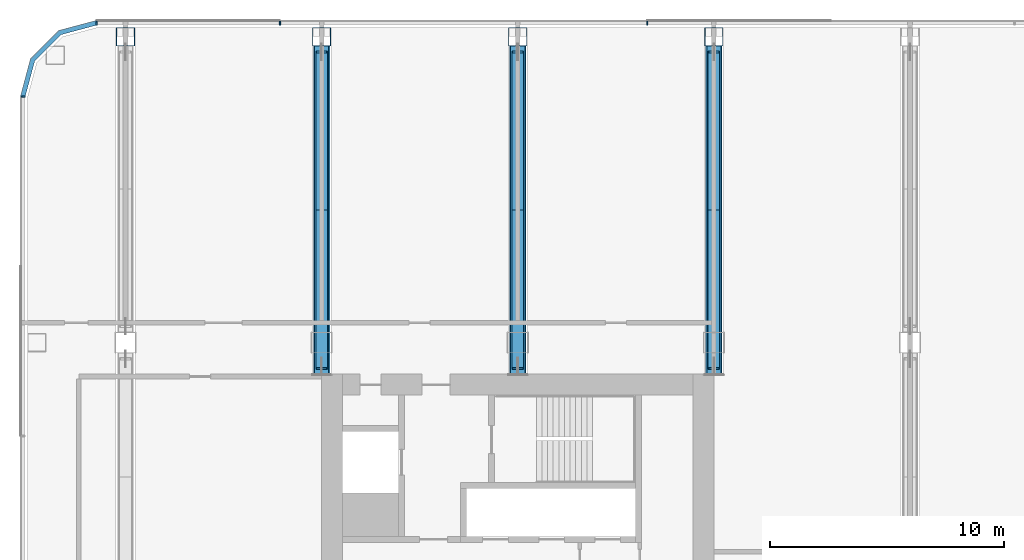
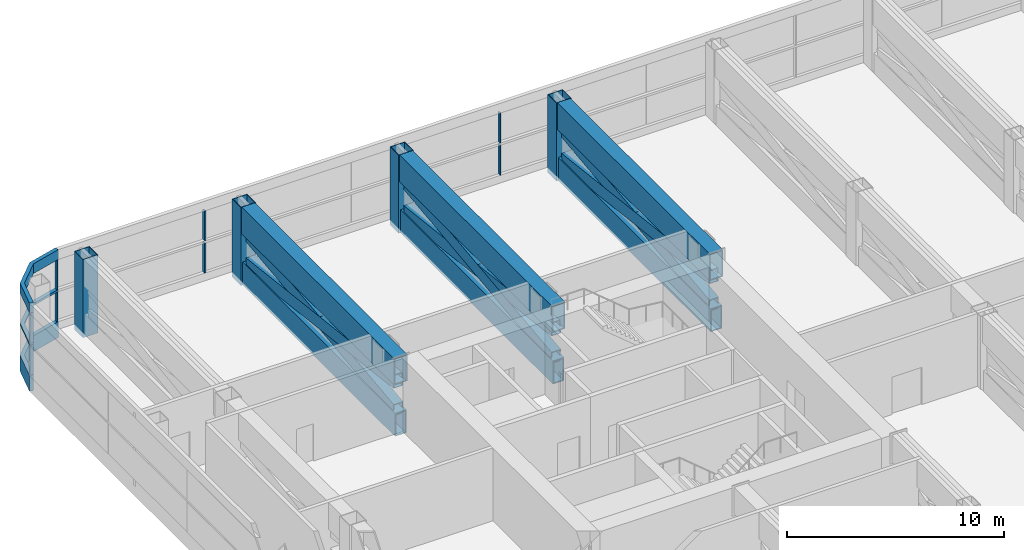
# One storey, part 9 of 31: 27 members, 3 elements without a shape of their own.
"""IFC4 building model written with IfcOpenShell, lengths in metres."""

from ifc_helpers import new_model, si_unit, direction, frame, origin, origin_2d, place, context, subcontext, project, spatial, polyline, rectangle, hollow_rectangle, outline, extrude, material, layer, layer_set, material_profile, profile_set, type_object, element, aggregate, save


model = new_model("IFC4")

# Units and contexts
model_context = context("Model", 3, precision=1e-05, world=origin(), true_north=direction((0.0, 1.0)))
body_context = subcontext(model_context, "Body", "Model", "MODEL_VIEW")
ifc_project = project(units=[si_unit("LENGTHUNIT", "METRE"), si_unit("AREAUNIT", "SQUARE_METRE"), si_unit("VOLUMEUNIT", "CUBIC_METRE"), si_unit("PLANEANGLEUNIT", "RADIAN"), si_unit("MASSUNIT", "GRAM", prefix="KILO")], contexts=[model_context])

# Site, building, storey
site_placement = place(None, origin())
site = spatial("IfcSite", under=ifc_project, at=site_placement, CompositionType="ELEMENT")
building_placement = place(site_placement, origin())
building = spatial("IfcBuilding", under=site, at=building_placement, Name="Hakoniwa Tower and Hamabe Station Hall", CompositionType="ELEMENT")
storey_placement = place(building_placement, frame((0.0, 0.0, 120.199951171875)))
storey = spatial("IfcBuildingStorey", under=building, at=storey_placement, Name="L34", CompositionType="ELEMENT", Elevation=120.199951171875)

# Curtain wall, members
ifc_material_1 = material(Name="Dark low-e laminated glass", Category="glass")
ifc_layer = layer(ifc_material_1, 0.199951171875)
ifc_layer_set = layer_set([ifc_layer], Name="CW-6 PLANT LOUVRE")
curtain_wall_type = type_object("IfcCurtainWallType", Name="CW-6 PLANT LOUVRE", PredefinedType="NOTDEFINED", material=ifc_layer_set)
curtain_wall_1_placement = place(storey_placement, origin())
curtain_wall_1 = element("IfcCurtainWall", 1, at=curtain_wall_1_placement, inside=storey, type_object=curtain_wall_type, Name="CW-6 curtain wall", PredefinedType="NOTDEFINED")
ifc_material_2 = material(Name="Aluminium 6063-T5 black anodised", Category="aluminium")
ifc_material_profile_1 = material_profile(ifc_material_2, rectangle(XDim=0.199951171875, YDim=0.550048828125, at=origin_2d()), Name="CW HEAD BAND 550X200")
ifc_profile_set_1 = profile_set([ifc_material_profile_1], Name="Aluminium 6063-T5 black anodised")
member_type_1 = type_object("IfcMemberType", Name="CW HEAD BAND 550X200", PredefinedType="USERDEFINED", material=ifc_profile_set_1)
member_1_placement = place(storey_placement, frame((0.0, 0.0, 3.85009765625)))
member_1 = element("IfcMember", 2, at=member_1_placement, type_object=member_type_1, Name="CW-6 transom", ObjectType="TRANSOM", PredefinedType="USERDEFINED", context=body_context, shape_type="SweptSolid", body=[
    extrude(outline(polyline([(-43.239501953125, 23.550048828125), (-44.855224609375, 23.116943359375), (-46.067138671875, 21.9052734375), (-46.5, 20.28955078125), (-46.306884765625, 20.23779296875), (-45.8876953125, 21.8017578125), (-44.751708984375, 22.937744140625), (-43.187744140625, 23.35693359375), (-43.239501953125, 23.550048828125)])), origin(), (0.0, 0.0, 1.0), 0.550048828125),
])
ifc_material_3 = material(Name="Aluminium 6063-T5 black anodised", Category="aluminium")
ifc_material_profile_2 = material_profile(ifc_material_3, rectangle(XDim=0.199951171875, YDim=0.1201171875, at=origin_2d()), Name="CW MID TRANSOM 120X200")
ifc_profile_set_2 = profile_set([ifc_material_profile_2], Name="Aluminium 6063-T5 black anodised")
member_type_2 = type_object("IfcMemberType", Name="CW MID TRANSOM 120X200", PredefinedType="USERDEFINED", material=ifc_profile_set_2)
member_2_placement = place(storey_placement, frame((0.0, 0.0, 2.0400390625)))
member_2 = element("IfcMember", 3, at=member_2_placement, type_object=member_type_2, Name="CW-6 transom", ObjectType="TRANSOM", PredefinedType="USERDEFINED", context=body_context, shape_type="SweptSolid", body=[
    extrude(outline(polyline([(-43.239501953125, 23.550048828125), (-44.855224609375, 23.116943359375), (-46.067138671875, 21.9052734375), (-46.5, 20.28955078125), (-46.306884765625, 20.23779296875), (-45.8876953125, 21.8017578125), (-44.751708984375, 22.937744140625), (-43.187744140625, 23.35693359375), (-43.239501953125, 23.550048828125)])), origin(), (0.0, 0.0, 1.0), 0.1201171875),
])
ifc_material_4 = material(Name="Aluminium 6063-T5 black anodised", Category="aluminium")
ifc_material_profile_3 = material_profile(ifc_material_4, rectangle(XDim=0.199951171875, YDim=0.89990234375, at=origin_2d()), Name="CW SLAB-EDGE BAND 900X200")
ifc_profile_set_3 = profile_set([ifc_material_profile_3], Name="Aluminium 6063-T5 black anodised")
member_type_3 = type_object("IfcMemberType", Name="CW SLAB-EDGE BAND 900X200", PredefinedType="USERDEFINED", material=ifc_profile_set_3)
member_3_placement = place(storey_placement, frame((0.0, 0.0, -0.550048828125)))
member_3 = element("IfcMember", 4, at=member_3_placement, type_object=member_type_3, Name="CW-6 transom", ObjectType="TRANSOM", PredefinedType="USERDEFINED", context=body_context, shape_type="SweptSolid", body=[
    extrude(outline(polyline([(-43.239501953125, 23.550048828125), (-44.855224609375, 23.116943359375), (-46.067138671875, 21.9052734375), (-46.5, 20.28955078125), (-46.306884765625, 20.23779296875), (-45.8876953125, 21.8017578125), (-44.751708984375, 22.937744140625), (-43.187744140625, 23.35693359375), (-43.239501953125, 23.550048828125)])), origin(), (0.0, 0.0, 1.0), 0.900146484375),
])
aggregate(curtain_wall_1, [member_3, member_2, member_1])

curtain_wall_2_placement = place(storey_placement, origin())
curtain_wall_2 = element("IfcCurtainWall", 5, at=curtain_wall_2_placement, inside=storey, type_object=curtain_wall_type, Name="CW-6 curtain wall", PredefinedType="NOTDEFINED")
ifc_material_5 = material(Name="Aluminium 6063-T5 black anodised", Category="aluminium")
ifc_material_profile_4 = material_profile(ifc_material_5, rectangle(XDim=0.06005859375, YDim=0.179931640625, at=origin_2d()), Name="CW-1 MULLION 60X180")
ifc_profile_set_4 = profile_set([ifc_material_profile_4], Name="Aluminium 6063-T5 black anodised")
member_type_4 = type_object("IfcMemberType", Name="CW-1 MULLION 60X180", PredefinedType="MULLION", material=ifc_profile_set_4)
member_4_placement = place(storey_placement, frame((-19.654296875, 23.431884765625, 0.35009765625), z_axis=(0.0, 0.0, 1.0), x_axis=(-1.0, 0.0, 0.0)))
member_4 = element("IfcMember", 6, at=member_4_placement, type_object=member_type_4, Name="CW-6 mullion", PredefinedType="MULLION", context=body_context, shape_type="SweptSolid", body=[
    extrude(rectangle(XDim=0.06005859375, YDim=0.179931640625, at=origin_2d()), origin(), (0.0, 0.0, 1.0), 1.68994140625),
])
member_5_placement = place(storey_placement, frame((-19.654296875, 23.431884765625, 2.16015625), z_axis=(0.0, 0.0, 1.0), x_axis=(-1.0, 0.0, 0.0)))
member_5 = element("IfcMember", 7, at=member_5_placement, type_object=member_type_4, Name="CW-6 mullion", PredefinedType="MULLION", context=body_context, shape_type="SweptSolid", body=[
    extrude(rectangle(XDim=0.06005859375, YDim=0.179931640625, at=origin_2d()), origin(), (0.0, 0.0, 1.0), 1.68994140625),
])
member_6_placement = place(storey_placement, frame((-35.377685546875, 23.431884765625, 0.35009765625), z_axis=(0.0, 0.0, 1.0), x_axis=(-1.0, 0.0, 0.0)))
member_6 = element("IfcMember", 8, at=member_6_placement, type_object=member_type_4, Name="CW-6 mullion", PredefinedType="MULLION", context=body_context, shape_type="SweptSolid", body=[
    extrude(rectangle(XDim=0.06005859375, YDim=0.179931640625, at=origin_2d()), origin(), (0.0, 0.0, 1.0), 1.68994140625),
])
member_7_placement = place(storey_placement, frame((-35.377685546875, 23.431884765625, 2.16015625), z_axis=(0.0, 0.0, 1.0), x_axis=(-1.0, 0.0, 0.0)))
member_7 = element("IfcMember", 9, at=member_7_placement, type_object=member_type_4, Name="CW-6 mullion", PredefinedType="MULLION", context=body_context, shape_type="SweptSolid", body=[
    extrude(rectangle(XDim=0.06005859375, YDim=0.179931640625, at=origin_2d()), origin(), (0.0, 0.0, 1.0), 1.68994140625),
])
member_8_placement = place(storey_placement, frame((-43.239501953125, 23.431884765625, 0.35009765625), z_axis=(0.0, 0.0, 1.0), x_axis=(-1.0, 0.0, 0.0)))
member_8 = element("IfcMember", 10, at=member_8_placement, type_object=member_type_4, Name="CW-6 mullion", PredefinedType="MULLION", context=body_context, shape_type="SweptSolid", body=[
    extrude(rectangle(XDim=0.06005859375, YDim=0.179931640625, at=origin_2d()), origin(), (0.0, 0.0, 1.0), 1.68994140625),
])
member_9_placement = place(storey_placement, frame((-43.239501953125, 23.431884765625, 2.16015625), z_axis=(0.0, 0.0, 1.0), x_axis=(-1.0, 0.0, 0.0)))
member_9 = element("IfcMember", 11, at=member_9_placement, type_object=member_type_4, Name="CW-6 mullion", PredefinedType="MULLION", context=body_context, shape_type="SweptSolid", body=[
    extrude(rectangle(XDim=0.06005859375, YDim=0.179931640625, at=origin_2d()), origin(), (0.0, 0.0, 1.0), 1.68994140625),
])
aggregate(curtain_wall_2, [member_4, member_5, member_6, member_7, member_8, member_9])

curtain_wall_3_placement = place(storey_placement, origin())
curtain_wall_3 = element("IfcCurtainWall", 12, at=curtain_wall_3_placement, inside=storey, type_object=curtain_wall_type, Name="CW-6 curtain wall", PredefinedType="NOTDEFINED")
member_10_placement = place(storey_placement, frame((-46.382080078125, 20.28955078125, 0.35009765625), z_axis=(0.0, 0.0, 1.0), x_axis=(0.0, -1.0, 0.0)))
member_10 = element("IfcMember", 13, at=member_10_placement, type_object=member_type_4, Name="CW-6 mullion", PredefinedType="MULLION", context=body_context, shape_type="SweptSolid", body=[
    extrude(rectangle(XDim=0.06005859375, YDim=0.179931640625, at=origin_2d()), origin(), (0.0, 0.0, 1.0), 1.68994140625),
])
member_11_placement = place(storey_placement, frame((-46.382080078125, 20.28955078125, 2.16015625), z_axis=(0.0, 0.0, 1.0), x_axis=(0.0, -1.0, 0.0)))
member_11 = element("IfcMember", 14, at=member_11_placement, type_object=member_type_4, Name="CW-6 mullion", PredefinedType="MULLION", context=body_context, shape_type="SweptSolid", body=[
    extrude(rectangle(XDim=0.06005859375, YDim=0.179931640625, at=origin_2d()), origin(), (0.0, 0.0, 1.0), 1.68994140625),
])
aggregate(curtain_wall_3, [member_10, member_11])

# Members
ifc_material_6 = material(Name="Steel SN490C", Category="steel")
ifc_material_profile_5 = material_profile(ifc_material_6, hollow_rectangle(XDim=0.60009765625, YDim=1.300048828125, WallThickness=0.050048828125, at=origin_2d()), Name="BX-1300x600x50")
ifc_profile_set_5 = profile_set([ifc_material_profile_5], Name="Steel SN490C")
member_type_5 = type_object("IfcMemberType", Name="TRUSS CHORD BX-1300x600x50", PredefinedType="CHORD", material=ifc_profile_set_5)
for number, where, z_axis, x_axis, name in (
    (15, (-33.60009765625, 8.39990234375, 0.35009765625), (0.0, 1.0, 0.0), (-1.0, 0.0, 0.0), "Truss T2-06-BC01"),
    (16, (-25.199951171875, 8.39990234375, 0.35009765625), (0.0, 1.0, 0.0), (-1.0, 0.0, 0.0), "Truss T2-08-BC01"),
    (17, (-16.800048828125, 8.39990234375, 0.35009765625), (0.0, 1.0, 0.0), (-1.0, 0.0, 0.0), "Truss T2-10-BC01"),
):
    element("IfcMember", number, at=place(storey_placement, frame(where, z_axis=z_axis, x_axis=x_axis)), inside=storey, type_object=member_type_5, Name=name, PredefinedType="CHORD", context=body_context, shape_type="SweptSolid", body=[
        extrude(hollow_rectangle(XDim=0.60009765625, YDim=1.300048828125, WallThickness=0.050048828125, at=origin_2d()), origin(), (0.0, 0.0, 1.0), 14.050048828125),
    ])
ifc_material_7 = material(Name="Steel SN490C", Category="steel")
ifc_material_profile_6 = material_profile(ifc_material_7, hollow_rectangle(XDim=0.699951171875, YDim=1.5, WallThickness=0.054931640625, at=origin_2d()), Name="BX-1500x700x55")
ifc_profile_set_6 = profile_set([ifc_material_profile_6], Name="Steel SN490C")
member_type_6 = type_object("IfcMemberType", Name="TRUSS CHORD BX-1500x700x55", PredefinedType="CHORD", material=ifc_profile_set_6)
for number, where, z_axis, x_axis, name in (
    (18, (-33.60009765625, 8.39990234375, 3.35009765625), (0.0, 1.0, 0.0), (-1.0, 0.0, 0.0), "Truss T2-06-TC01"),
    (19, (-25.199951171875, 8.39990234375, 3.35009765625), (0.0, 1.0, 0.0), (-1.0, 0.0, 0.0), "Truss T2-08-TC01"),
    (20, (-16.800048828125, 8.39990234375, 3.35009765625), (0.0, 1.0, 0.0), (-1.0, 0.0, 0.0), "Truss T2-10-TC01"),
):
    element("IfcMember", number, at=place(storey_placement, frame(where, z_axis=z_axis, x_axis=x_axis)), inside=storey, type_object=member_type_6, Name=name, PredefinedType="CHORD", context=body_context, shape_type="SweptSolid", body=[
        extrude(hollow_rectangle(XDim=0.699951171875, YDim=1.5, WallThickness=0.054931640625, at=origin_2d()), origin(), (0.0, 0.0, 1.0), 14.050048828125),
    ])
ifc_material_8 = material(Name="Steel SN490C", Category="steel")
ifc_material_profile_7 = material_profile(ifc_material_8, hollow_rectangle(XDim=0.5, YDim=0.699951171875, WallThickness=0.031982421875, at=origin_2d()), Name="BX-700x500x32")
ifc_profile_set_7 = profile_set([ifc_material_profile_7], Name="Steel SN490C")
member_type_7 = type_object("IfcMemberType", Name="TRUSS DIAGONAL BX-700x500x32", PredefinedType="BRACE", material=ifc_profile_set_7)
for number, where, z_axis, x_axis, name in (
    (21, (-33.60009765625, 8.64990234375, 1.0), (0.0, 0.993099700587, 0.117273120082), (-1.0, 0.0, 0.0), "Truss T2-06-D01a"),
    (22, (-33.60009765625, 8.64990234375, 2.60009765625), (0.0, 0.993099700587, -0.117273120082), (-1.0, 0.0, 0.0), "Truss T2-06-D01b"),
    (23, (-25.199951171875, 8.64990234375, 1.0), (0.0, 0.993099700587, 0.117273120082), (-1.0, 0.0, 0.0), "Truss T2-08-D01a"),
    (24, (-25.199951171875, 8.64990234375, 2.60009765625), (0.0, 0.993099700587, -0.117273120082), (-1.0, 0.0, 0.0), "Truss T2-08-D01b"),
    (25, (-16.800048828125, 8.64990234375, 1.0), (0.0, 0.993099700587, 0.117273120082), (-1.0, 0.0, 0.0), "Truss T2-10-D01a"),
    (26, (-16.800048828125, 8.64990234375, 2.60009765625), (0.0, 0.993099700587, -0.117273120082), (-1.0, 0.0, 0.0), "Truss T2-10-D01b"),
):
    element("IfcMember", number, at=place(storey_placement, frame(where, z_axis=z_axis, x_axis=x_axis)), inside=storey, type_object=member_type_7, Name=name, PredefinedType="BRACE", context=body_context, shape_type="SweptSolid", body=[
        extrude(hollow_rectangle(XDim=0.5, YDim=0.699951171875, WallThickness=0.031982421875, at=origin_2d()), origin(), (0.0, 0.0, 1.0), 13.644287109375),
    ])
ifc_material_9 = material(Name="Steel SN490C", Category="steel")
ifc_material_profile_8 = material_profile(ifc_material_9, hollow_rectangle(XDim=0.800048828125, YDim=0.800048828125, WallThickness=0.031982421875, at=origin_2d()), Name="BX-800x800x32")
ifc_profile_set_8 = profile_set([ifc_material_profile_8], Name="Steel SN490C")
member_type_8 = type_object("IfcMemberType", Name="TRUSS POST BX-800x800x32", PredefinedType="POST", material=ifc_profile_set_8)
for number, where, z_axis, x_axis, name in (
    (27, (-42.0, 22.85009765625, -0.300048828125), (0.0, 0.0, 1.0), (1.0, 0.0, 0.0), "Truss T2-03-P04"),
    (28, (-33.60009765625, 22.85009765625, -0.300048828125), (0.0, 0.0, 1.0), (1.0, 0.0, 0.0), "Truss T2-06-P03"),
    (29, (-25.199951171875, 22.85009765625, -0.300048828125), (0.0, 0.0, 1.0), (1.0, 0.0, 0.0), "Truss T2-08-P03"),
    (30, (-16.800048828125, 22.85009765625, -0.300048828125), (0.0, 0.0, 1.0), (1.0, 0.0, 0.0), "Truss T2-10-P03"),
):
    element("IfcMember", number, at=place(storey_placement, frame(where, z_axis=z_axis, x_axis=x_axis)), inside=storey, type_object=member_type_8, Name=name, PredefinedType="POST", context=body_context, shape_type="SweptSolid", body=[
        extrude(hollow_rectangle(XDim=0.800048828125, YDim=0.800048828125, WallThickness=0.031982421875, at=origin_2d()), origin(), (0.0, 0.0, 1.0), 4.400146484375),
    ])

save(model, "model.ifc")
